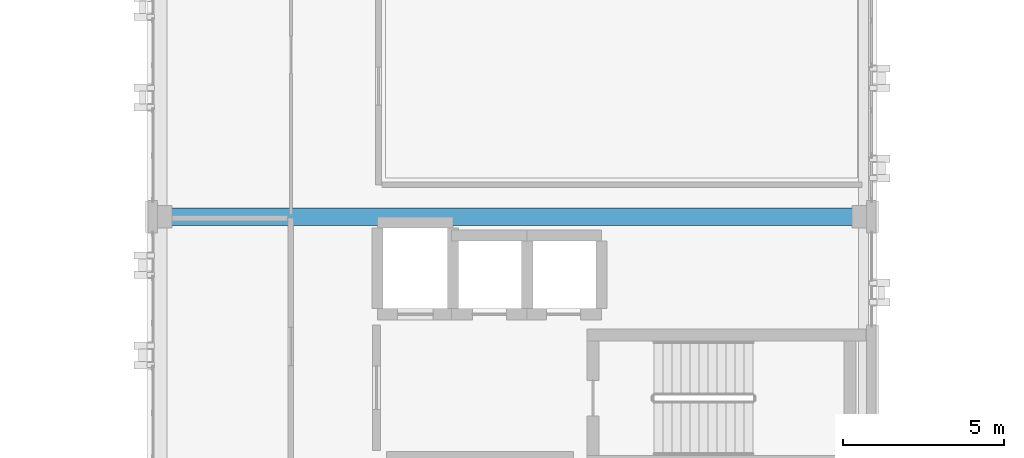
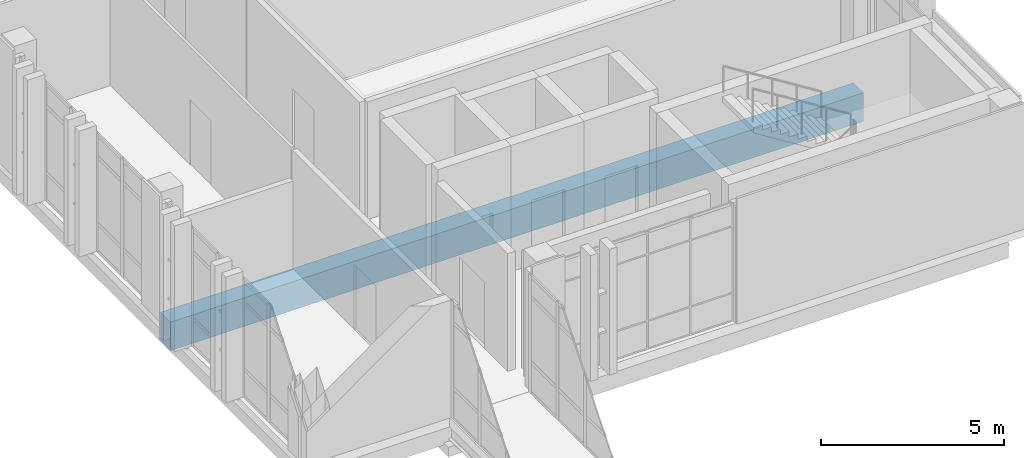
# One storey, part 63 of 193: 1 beam.
"""IFC4 building model written with IfcOpenShell, lengths in metres."""

from ifc_helpers import new_model, si_unit, direction, frame, origin, origin_2d, place, context, subcontext, project, spatial, rectangle, extrude, material, material_profile, profile_set, type_object, element, save


model = new_model("IFC4")

# Units and contexts
model_context = context("Model", 3, precision=1e-05, world=origin(), true_north=direction((0.0, 1.0)))
body_context = subcontext(model_context, "Body", "Model", "MODEL_VIEW")
ifc_project = project(units=[si_unit("LENGTHUNIT", "METRE"), si_unit("AREAUNIT", "SQUARE_METRE"), si_unit("VOLUMEUNIT", "CUBIC_METRE"), si_unit("PLANEANGLEUNIT", "RADIAN"), si_unit("MASSUNIT", "GRAM", prefix="KILO")], contexts=[model_context])

# Site, building, storey
site_placement = place(None, origin())
site = spatial("IfcSite", under=ifc_project, at=site_placement, CompositionType="ELEMENT")
building_placement = place(site_placement, origin())
building = spatial("IfcBuilding", under=site, at=building_placement, Name="Qalavern Law Courts", CompositionType="ELEMENT")
storey_placement = place(building_placement, frame((0.0, 0.0, 10.199951171875)))
storey = spatial("IfcBuildingStorey", under=building, at=storey_placement, Name="L02", CompositionType="ELEMENT", Elevation=10.199951171875)

# Beam
ifc_material = material(Name="Concrete C40/50", Category="concrete")
ifc_material_profile = material_profile(ifc_material, rectangle(XDim=0.550048828125, YDim=0.949951171875, at=origin_2d()), Name="RC 550x950")
ifc_profile_set = profile_set([ifc_material_profile], Name="Concrete C40/50")
beam_type = type_object("IfcBeamType", Name="STR-BM-RC550x950", PredefinedType="BEAM", material=ifc_profile_set)
beam_placement = place(storey_placement, frame((84.60009765625, 49.39990234375, -0.764892578125), z_axis=(1.0, 0.0, 0.0), x_axis=(0.0, 1.0, 0.0)))
element("IfcBeam", 1, at=beam_placement, inside=storey, type_object=beam_type, Name="V4 X-beam 2-1 L02", PredefinedType="BEAM", context=body_context, shape_type="SweptSolid", body=[
    extrude(rectangle(XDim=0.550048828125, YDim=0.949951171875, at=origin_2d()), origin(), (0.0, 0.0, 1.0), 21.7998046875),
])

save(model, "model.ifc")
